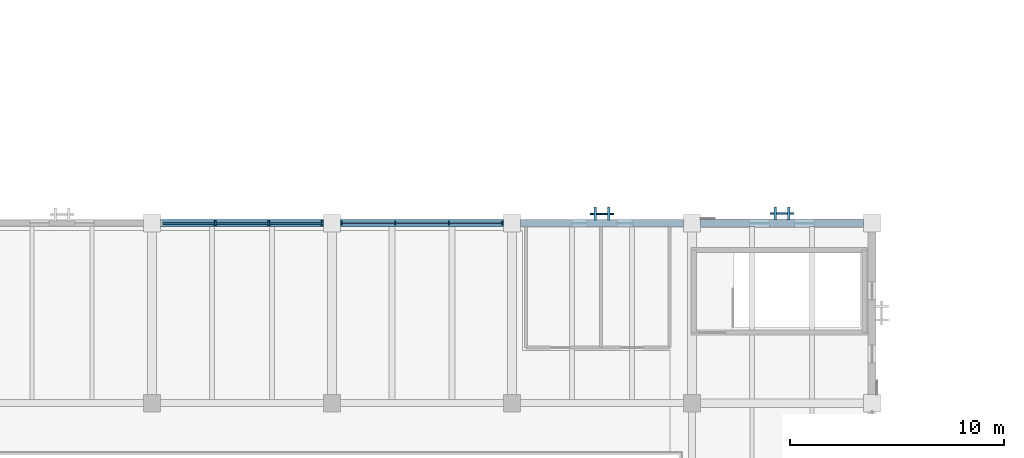
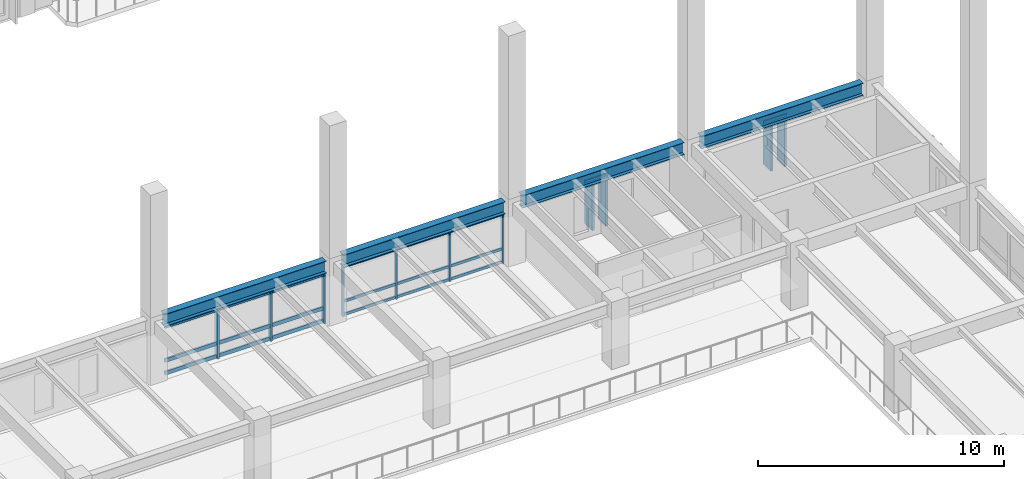
# One storey, part 11 of 64: 31 members, 4 beams, 4 elements without a shape of their own.
"""IFC4 building model written with IfcOpenShell, lengths in metres."""

from ifc_helpers import new_model, si_unit, direction, frame, origin, origin_2d, place, context, subcontext, project, spatial, rectangle, i_section, extrude, material, material_profile, profile_set, type_object, element, aggregate, save


model = new_model("IFC4")

# Units and contexts
model_context = context("Model", 3, precision=1e-05, world=origin(), true_north=direction((0.0, 1.0)))
body_context = subcontext(model_context, "Body", "Model", "MODEL_VIEW")
ifc_project = project(units=[si_unit("LENGTHUNIT", "METRE"), si_unit("AREAUNIT", "SQUARE_METRE"), si_unit("VOLUMEUNIT", "CUBIC_METRE"), si_unit("PLANEANGLEUNIT", "RADIAN"), si_unit("MASSUNIT", "GRAM", prefix="KILO")], contexts=[model_context])

# Site, building, storey
site_placement = place(None, origin())
site = spatial("IfcSite", under=ifc_project, at=site_placement, CompositionType="ELEMENT")
building_placement = place(site_placement, origin())
building = spatial("IfcBuilding", under=site, at=building_placement, Name="Cumbredor Promenade Congress Hotel", CompositionType="ELEMENT")
storey_placement = place(building_placement, frame((0.0, 0.0, 18.47998046875)))
storey = spatial("IfcBuildingStorey", under=building, at=storey_placement, Name="L05", CompositionType="ELEMENT", Elevation=18.47998046875)

# Beams
ifc_material_1 = material(Name="Steel ASTM A992 Grade 50", Category="steel")
ifc_material_profile_1 = material_profile(ifc_material_1, i_section(OverallWidth=0.323974609375, OverallDepth=0.611083984375, WebThickness=0.0126953125, FlangeThickness=0.01904296875, at=origin_2d()), Name="W24X104")
ifc_profile_set_1 = profile_set([ifc_material_profile_1], Name="Steel ASTM A992 Grade 50")
beam_type = type_object("IfcBeamType", Name="BM-W24X104", PredefinedType="BEAM", material=ifc_profile_set_1)
for number, where, z_axis, x_axis, name in (
    (1, (34.0, 67.199951171875, 2.814453125), (1.0, 0.0, 0.0), (0.0, 1.0, 0.0), "L06 X-Grid Beam 061"),
    (2, (42.39990234375, 67.199951171875, 2.814453125), (1.0, 0.0, 0.0), (0.0, 1.0, 0.0), "L06 X-Grid Beam 072"),
):
    element("IfcBeam", number, at=place(storey_placement, frame(where, z_axis=z_axis, x_axis=x_axis)), inside=storey, type_object=beam_type, Name=name, PredefinedType="BEAM", context=body_context, shape_type="SweptSolid", body=[
        extrude(i_section(OverallWidth=0.323974609375, OverallDepth=0.611083984375, WebThickness=0.0126953125, FlangeThickness=0.01904296875, at=origin_2d()), origin(), (0.0, 0.0, 1.0), 7.60009765625),
    ])
beam_1_placement = place(storey_placement, frame((50.800048828125, 67.199951171875, 2.814453125), z_axis=(1.0, 0.0, 0.0), x_axis=(0.0, 1.0, 0.0)))
element("IfcBeam", 3, at=beam_1_placement, inside=storey, type_object=beam_type, Name="L06 X-Grid Beam 083", PredefinedType="BEAM", context=body_context, shape_type="SweptSolid", body=[
    extrude(i_section(OverallWidth=0.323974609375, OverallDepth=0.611083984375, WebThickness=0.0126953125, FlangeThickness=0.01904296875, at=origin_2d()), origin(), (0.0, 0.0, 1.0), 7.599853515625),
])
beam_2_placement = place(storey_placement, frame((59.199951171875, 67.199951171875, 2.814453125), z_axis=(1.0, 0.0, 0.0), x_axis=(0.0, 1.0, 0.0)))
element("IfcBeam", 4, at=beam_2_placement, inside=storey, type_object=beam_type, Name="L06 X-Grid Beam 105", PredefinedType="BEAM", context=body_context, shape_type="SweptSolid", body=[
    extrude(i_section(OverallWidth=0.323974609375, OverallDepth=0.611083984375, WebThickness=0.0126953125, FlangeThickness=0.01904296875, at=origin_2d()), origin(), (0.0, 0.0, 1.0), 7.60009765625),
])

# Curtain wall, members
ifc_material_2 = material(Name="Thermally broken anodized aluminium and low-E glass", Category="aluminium")
curtain_wall_type_1 = type_object("IfcCurtainWallType", Name="Unitised Bronze Curtain Wall CW-01", PredefinedType="NOTDEFINED", material=ifc_material_2)
curtain_wall_1_placement = place(storey_placement, origin())
curtain_wall_1 = element("IfcCurtainWall", 5, at=curtain_wall_1_placement, inside=storey, type_object=curtain_wall_type_1, Name="L05 Plenary Congress Hall North Curtain Wall 5", PredefinedType="NOTDEFINED")
ifc_material_3 = material(Name="Thermally broken anodized aluminium", Category="aluminium")
ifc_material_profile_2 = material_profile(ifc_material_3, rectangle(XDim=0.06494140625, YDim=0.159912109375, at=origin_2d()), Name="ALU MULLION 65x160")
ifc_profile_set_2 = profile_set([ifc_material_profile_2], Name="Thermally broken anodized aluminium")
member_type_1 = type_object("IfcMemberType", Name="Curtain Wall Mullion ML-01", PredefinedType="MULLION", material=ifc_profile_set_2)
member_1_placement = place(storey_placement, frame((42.455078125, 67.199951171875, -0.008056640625), z_axis=(0.0, 0.0, 1.0), x_axis=(1.0, 0.0, 0.0)))
member_1 = element("IfcMember", 6, at=member_1_placement, type_object=member_type_1, Name="L05 Plenary Congress Hall North Curtain Wall 5 Mullion 1", PredefinedType="MULLION", context=body_context, shape_type="SweptSolid", body=[
    extrude(rectangle(XDim=0.06494140625, YDim=0.159912109375, at=origin_2d()), origin(), (0.0, 0.0, 1.0), 2.510009765625),
])
member_2_placement = place(storey_placement, frame((44.95166015625, 67.199951171875, -0.008056640625), z_axis=(0.0, 0.0, 1.0), x_axis=(1.0, 0.0, 0.0)))
member_2 = element("IfcMember", 7, at=member_2_placement, type_object=member_type_1, Name="L05 Plenary Congress Hall North Curtain Wall 5 Mullion 2", PredefinedType="MULLION", context=body_context, shape_type="SweptSolid", body=[
    extrude(rectangle(XDim=0.06494140625, YDim=0.159912109375, at=origin_2d()), origin(), (0.0, 0.0, 1.0), 2.510009765625),
])
member_3_placement = place(storey_placement, frame((47.4482421875, 67.199951171875, -0.008056640625), z_axis=(0.0, 0.0, 1.0), x_axis=(1.0, 0.0, 0.0)))
member_3 = element("IfcMember", 8, at=member_3_placement, type_object=member_type_1, Name="L05 Plenary Congress Hall North Curtain Wall 5 Mullion 3", PredefinedType="MULLION", context=body_context, shape_type="SweptSolid", body=[
    extrude(rectangle(XDim=0.06494140625, YDim=0.159912109375, at=origin_2d()), origin(), (0.0, 0.0, 1.0), 2.510009765625),
])
member_4_placement = place(storey_placement, frame((49.945068359375, 67.199951171875, -0.008056640625), z_axis=(0.0, 0.0, 1.0), x_axis=(1.0, 0.0, 0.0)))
member_4 = element("IfcMember", 9, at=member_4_placement, type_object=member_type_1, Name="L05 Plenary Congress Hall North Curtain Wall 5 Mullion 4", PredefinedType="MULLION", context=body_context, shape_type="SweptSolid", body=[
    extrude(rectangle(XDim=0.06494140625, YDim=0.159912109375, at=origin_2d()), origin(), (0.0, 0.0, 1.0), 2.510009765625),
])

curtain_wall_2_placement = place(storey_placement, origin())
curtain_wall_2 = element("IfcCurtainWall", 10, at=curtain_wall_2_placement, inside=storey, type_object=curtain_wall_type_1, Name="L05 Plenary Congress Hall North Curtain Wall 4", PredefinedType="NOTDEFINED")
ifc_material_profile_3 = material_profile(ifc_material_3, rectangle(XDim=0.080078125, YDim=0.239990234375, at=origin_2d()), Name="ALU MULLION 80x240")
ifc_profile_set_3 = profile_set([ifc_material_profile_3], Name="Thermally broken anodized aluminium")
member_type_2 = type_object("IfcMemberType", Name="Curtain Wall Mullion ML-03", PredefinedType="MULLION", material=ifc_profile_set_3)
member_5_placement = place(storey_placement, frame((36.5517578125, 67.199951171875, -0.008056640625), z_axis=(0.0, 0.0, 1.0), x_axis=(1.0, 0.0, 0.0)))
member_5 = element("IfcMember", 11, at=member_5_placement, type_object=member_type_2, Name="L05 Plenary Congress Hall North Curtain Wall 4 Mullion 2", PredefinedType="MULLION", context=body_context, shape_type="SweptSolid", body=[
    extrude(rectangle(XDim=0.080078125, YDim=0.239990234375, at=origin_2d()), origin(), (0.0, 0.0, 1.0), 2.510009765625),
])
member_6_placement = place(storey_placement, frame((39.04833984375, 67.199951171875, -0.008056640625), z_axis=(0.0, 0.0, 1.0), x_axis=(1.0, 0.0, 0.0)))
member_6 = element("IfcMember", 12, at=member_6_placement, type_object=member_type_2, Name="L05 Plenary Congress Hall North Curtain Wall 4 Mullion 3", PredefinedType="MULLION", context=body_context, shape_type="SweptSolid", body=[
    extrude(rectangle(XDim=0.080078125, YDim=0.239990234375, at=origin_2d()), origin(), (0.0, 0.0, 1.0), 2.510009765625),
])
member_7_placement = place(storey_placement, frame((41.544921875, 67.199951171875, -0.008056640625), z_axis=(0.0, 0.0, 1.0), x_axis=(1.0, 0.0, 0.0)))
member_7 = element("IfcMember", 13, at=member_7_placement, type_object=member_type_2, Name="L05 Plenary Congress Hall North Curtain Wall 4 Mullion 4", PredefinedType="MULLION", context=body_context, shape_type="SweptSolid", body=[
    extrude(rectangle(XDim=0.080078125, YDim=0.239990234375, at=origin_2d()), origin(), (0.0, 0.0, 1.0), 2.510009765625),
])

# Member
ifc_material_profile_4 = material_profile(ifc_material_3, rectangle(XDim=0.06494140625, YDim=0.1298828125, at=origin_2d()), Name="ALU TRANSOM 65x130")
ifc_profile_set_4 = profile_set([ifc_material_profile_4], Name="Thermally broken anodized aluminium")
member_type_3 = type_object("IfcMemberType", Name="Curtain Wall Transom TR-01", PredefinedType="USERDEFINED", material=ifc_profile_set_4)
member_8_placement = place(storey_placement, frame((42.487548828125, 67.199951171875, 0.070068359375), z_axis=(1.0, 0.0, 0.0), x_axis=(0.0, 1.0, 0.0)))
member_8 = element("IfcMember", 14, at=member_8_placement, type_object=member_type_3, Name="L05 Plenary Congress Hall North Curtain Wall 5 Transom 1.1", ObjectType="TRANSOM", PredefinedType="USERDEFINED", context=body_context, shape_type="SweptSolid", body=[
    extrude(rectangle(XDim=0.06494140625, YDim=0.1298828125, at=origin_2d()), origin(), (0.0, 0.0, 1.0), 2.431640625),
])

member_9_placement = place(storey_placement, frame((42.487548828125, 67.199951171875, 0.719970703125), z_axis=(1.0, 0.0, 0.0), x_axis=(0.0, 1.0, 0.0)))
member_9 = element("IfcMember", 15, at=member_9_placement, type_object=member_type_3, Name="L05 Plenary Congress Hall North Curtain Wall 5 Transom 1.2", ObjectType="TRANSOM", PredefinedType="USERDEFINED", context=body_context, shape_type="SweptSolid", body=[
    extrude(rectangle(XDim=0.06494140625, YDim=0.1298828125, at=origin_2d()), origin(), (0.0, 0.0, 1.0), 2.431640625),
])

member_10_placement = place(storey_placement, frame((42.487548828125, 67.199951171875, 2.429931640625), z_axis=(1.0, 0.0, 0.0), x_axis=(0.0, 1.0, 0.0)))
member_10 = element("IfcMember", 16, at=member_10_placement, type_object=member_type_3, Name="L05 Plenary Congress Hall North Curtain Wall 5 Transom 1.3", ObjectType="TRANSOM", PredefinedType="USERDEFINED", context=body_context, shape_type="SweptSolid", body=[
    extrude(rectangle(XDim=0.06494140625, YDim=0.1298828125, at=origin_2d()), origin(), (0.0, 0.0, 1.0), 2.431640625),
])

member_11_placement = place(storey_placement, frame((44.984130859375, 67.199951171875, 0.070068359375), z_axis=(1.0, 0.0, 0.0), x_axis=(0.0, 1.0, 0.0)))
member_11 = element("IfcMember", 17, at=member_11_placement, type_object=member_type_3, Name="L05 Plenary Congress Hall North Curtain Wall 5 Transom 2.1", ObjectType="TRANSOM", PredefinedType="USERDEFINED", context=body_context, shape_type="SweptSolid", body=[
    extrude(rectangle(XDim=0.06494140625, YDim=0.1298828125, at=origin_2d()), origin(), (0.0, 0.0, 1.0), 2.431640625),
])

member_12_placement = place(storey_placement, frame((44.984130859375, 67.199951171875, 0.719970703125), z_axis=(1.0, 0.0, 0.0), x_axis=(0.0, 1.0, 0.0)))
member_12 = element("IfcMember", 18, at=member_12_placement, type_object=member_type_3, Name="L05 Plenary Congress Hall North Curtain Wall 5 Transom 2.2", ObjectType="TRANSOM", PredefinedType="USERDEFINED", context=body_context, shape_type="SweptSolid", body=[
    extrude(rectangle(XDim=0.06494140625, YDim=0.1298828125, at=origin_2d()), origin(), (0.0, 0.0, 1.0), 2.431640625),
])

member_13_placement = place(storey_placement, frame((44.984130859375, 67.199951171875, 2.429931640625), z_axis=(1.0, 0.0, 0.0), x_axis=(0.0, 1.0, 0.0)))
member_13 = element("IfcMember", 19, at=member_13_placement, type_object=member_type_3, Name="L05 Plenary Congress Hall North Curtain Wall 5 Transom 2.3", ObjectType="TRANSOM", PredefinedType="USERDEFINED", context=body_context, shape_type="SweptSolid", body=[
    extrude(rectangle(XDim=0.06494140625, YDim=0.1298828125, at=origin_2d()), origin(), (0.0, 0.0, 1.0), 2.431640625),
])

member_14_placement = place(storey_placement, frame((47.480712890625, 67.199951171875, 0.070068359375), z_axis=(1.0, 0.0, 0.0), x_axis=(0.0, 1.0, 0.0)))
member_14 = element("IfcMember", 20, at=member_14_placement, type_object=member_type_3, Name="L05 Plenary Congress Hall North Curtain Wall 5 Transom 3.1", ObjectType="TRANSOM", PredefinedType="USERDEFINED", context=body_context, shape_type="SweptSolid", body=[
    extrude(rectangle(XDim=0.06494140625, YDim=0.1298828125, at=origin_2d()), origin(), (0.0, 0.0, 1.0), 2.431884765625),
])

member_15_placement = place(storey_placement, frame((47.480712890625, 67.199951171875, 0.719970703125), z_axis=(1.0, 0.0, 0.0), x_axis=(0.0, 1.0, 0.0)))
member_15 = element("IfcMember", 21, at=member_15_placement, type_object=member_type_3, Name="L05 Plenary Congress Hall North Curtain Wall 5 Transom 3.2", ObjectType="TRANSOM", PredefinedType="USERDEFINED", context=body_context, shape_type="SweptSolid", body=[
    extrude(rectangle(XDim=0.06494140625, YDim=0.1298828125, at=origin_2d()), origin(), (0.0, 0.0, 1.0), 2.431884765625),
])

member_16_placement = place(storey_placement, frame((47.480712890625, 67.199951171875, 2.429931640625), z_axis=(1.0, 0.0, 0.0), x_axis=(0.0, 1.0, 0.0)))
member_16 = element("IfcMember", 22, at=member_16_placement, type_object=member_type_3, Name="L05 Plenary Congress Hall North Curtain Wall 5 Transom 3.3", ObjectType="TRANSOM", PredefinedType="USERDEFINED", context=body_context, shape_type="SweptSolid", body=[
    extrude(rectangle(XDim=0.06494140625, YDim=0.1298828125, at=origin_2d()), origin(), (0.0, 0.0, 1.0), 2.431884765625),
])

aggregate(curtain_wall_1, [member_1, member_2, member_3, member_4, member_8, member_9, member_10, member_11, member_12, member_13, member_14, member_15, member_16])

# Curtain wall, member
curtain_wall_type_2 = type_object("IfcCurtainWallType", Name="Solar Brise-Soleil Screen Assembly CW-07", PredefinedType="NOTDEFINED", material=ifc_material_2)
curtain_wall_3_placement = place(storey_placement, origin())
curtain_wall_3 = element("IfcCurtainWall", 23, at=curtain_wall_3_placement, inside=storey, type_object=curtain_wall_type_2, Name="L05 Pier Brise-Soleil Screen 0829", PredefinedType="NOTDEFINED")
member_17_placement = place(storey_placement, frame((54.050048828125, 67.635009765625, 2.333984375), z_axis=(1.0, 0.0, 0.0), x_axis=(0.0, 1.0, 0.0)))
member_17 = element("IfcMember", 24, at=member_17_placement, type_object=member_type_3, Name="L05 Pier Brise-Soleil Header 0831", ObjectType="TRANSOM", PredefinedType="USERDEFINED", context=body_context, shape_type="SweptSolid", body=[
    extrude(rectangle(XDim=0.06494140625, YDim=0.1298828125, at=origin_2d()), origin(), (0.0, 0.0, 1.0), 1.099853515625),
])

curtain_wall_4_placement = place(storey_placement, origin())
curtain_wall_4 = element("IfcCurtainWall", 25, at=curtain_wall_4_placement, inside=storey, type_object=curtain_wall_type_2, Name="L05 Pier Brise-Soleil Screen 0832", PredefinedType="NOTDEFINED")
member_18_placement = place(storey_placement, frame((62.449951171875, 67.64990234375, 2.333984375), z_axis=(1.0, 0.0, 0.0), x_axis=(0.0, 1.0, 0.0)))
member_18 = element("IfcMember", 26, at=member_18_placement, type_object=member_type_3, Name="L05 Pier Brise-Soleil Header 0834", ObjectType="TRANSOM", PredefinedType="USERDEFINED", context=body_context, shape_type="SweptSolid", body=[
    extrude(rectangle(XDim=0.06494140625, YDim=0.1298828125, at=origin_2d()), origin(), (0.0, 0.0, 1.0), 1.10009765625),
])

# Member
ifc_material_profile_5 = material_profile(ifc_material_3, rectangle(XDim=0.080078125, YDim=0.179931640625, at=origin_2d()), Name="ALU TRANSOM 80x180")
ifc_profile_set_5 = profile_set([ifc_material_profile_5], Name="Thermally broken anodized aluminium")
member_type_4 = type_object("IfcMemberType", Name="Curtain Wall Transom TR-03", PredefinedType="USERDEFINED", material=ifc_profile_set_5)
member_19_placement = place(storey_placement, frame((34.094970703125, 67.199951171875, 0.090087890625), z_axis=(1.0, 0.0, 0.0), x_axis=(0.0, 1.0, 0.0)))
member_19 = element("IfcMember", 27, at=member_19_placement, type_object=member_type_4, Name="L05 Plenary Congress Hall North Curtain Wall 4 Transom 1.1", ObjectType="TRANSOM", PredefinedType="USERDEFINED", context=body_context, shape_type="SweptSolid", body=[
    extrude(rectangle(XDim=0.080078125, YDim=0.179931640625, at=origin_2d()), origin(), (0.0, 0.0, 1.0), 2.416748046875),
])

member_20_placement = place(storey_placement, frame((34.094970703125, 67.199951171875, 0.719970703125), z_axis=(1.0, 0.0, 0.0), x_axis=(0.0, 1.0, 0.0)))
member_20 = element("IfcMember", 28, at=member_20_placement, type_object=member_type_4, Name="L05 Plenary Congress Hall North Curtain Wall 4 Transom 1.2", ObjectType="TRANSOM", PredefinedType="USERDEFINED", context=body_context, shape_type="SweptSolid", body=[
    extrude(rectangle(XDim=0.080078125, YDim=0.179931640625, at=origin_2d()), origin(), (0.0, 0.0, 1.0), 2.416748046875),
])

member_21_placement = place(storey_placement, frame((34.094970703125, 67.199951171875, 2.39990234375), z_axis=(1.0, 0.0, 0.0), x_axis=(0.0, 1.0, 0.0)))
member_21 = element("IfcMember", 29, at=member_21_placement, type_object=member_type_4, Name="L05 Plenary Congress Hall North Curtain Wall 4 Transom 1.3", ObjectType="TRANSOM", PredefinedType="USERDEFINED", context=body_context, shape_type="SweptSolid", body=[
    extrude(rectangle(XDim=0.080078125, YDim=0.179931640625, at=origin_2d()), origin(), (0.0, 0.0, 1.0), 2.416748046875),
])

member_22_placement = place(storey_placement, frame((36.591796875, 67.199951171875, 0.090087890625), z_axis=(1.0, 0.0, 0.0), x_axis=(0.0, 1.0, 0.0)))
member_22 = element("IfcMember", 30, at=member_22_placement, type_object=member_type_4, Name="L05 Plenary Congress Hall North Curtain Wall 4 Transom 2.1", ObjectType="TRANSOM", PredefinedType="USERDEFINED", context=body_context, shape_type="SweptSolid", body=[
    extrude(rectangle(XDim=0.080078125, YDim=0.179931640625, at=origin_2d()), origin(), (0.0, 0.0, 1.0), 2.41650390625),
])

member_23_placement = place(storey_placement, frame((36.591796875, 67.199951171875, 0.719970703125), z_axis=(1.0, 0.0, 0.0), x_axis=(0.0, 1.0, 0.0)))
member_23 = element("IfcMember", 31, at=member_23_placement, type_object=member_type_4, Name="L05 Plenary Congress Hall North Curtain Wall 4 Transom 2.2", ObjectType="TRANSOM", PredefinedType="USERDEFINED", context=body_context, shape_type="SweptSolid", body=[
    extrude(rectangle(XDim=0.080078125, YDim=0.179931640625, at=origin_2d()), origin(), (0.0, 0.0, 1.0), 2.41650390625),
])

member_24_placement = place(storey_placement, frame((36.591796875, 67.199951171875, 2.39990234375), z_axis=(1.0, 0.0, 0.0), x_axis=(0.0, 1.0, 0.0)))
member_24 = element("IfcMember", 32, at=member_24_placement, type_object=member_type_4, Name="L05 Plenary Congress Hall North Curtain Wall 4 Transom 2.3", ObjectType="TRANSOM", PredefinedType="USERDEFINED", context=body_context, shape_type="SweptSolid", body=[
    extrude(rectangle(XDim=0.080078125, YDim=0.179931640625, at=origin_2d()), origin(), (0.0, 0.0, 1.0), 2.41650390625),
])

member_25_placement = place(storey_placement, frame((39.08837890625, 67.199951171875, 0.090087890625), z_axis=(1.0, 0.0, 0.0), x_axis=(0.0, 1.0, 0.0)))
member_25 = element("IfcMember", 33, at=member_25_placement, type_object=member_type_4, Name="L05 Plenary Congress Hall North Curtain Wall 4 Transom 3.1", ObjectType="TRANSOM", PredefinedType="USERDEFINED", context=body_context, shape_type="SweptSolid", body=[
    extrude(rectangle(XDim=0.080078125, YDim=0.179931640625, at=origin_2d()), origin(), (0.0, 0.0, 1.0), 2.41650390625),
])

member_26_placement = place(storey_placement, frame((39.08837890625, 67.199951171875, 0.719970703125), z_axis=(1.0, 0.0, 0.0), x_axis=(0.0, 1.0, 0.0)))
member_26 = element("IfcMember", 34, at=member_26_placement, type_object=member_type_4, Name="L05 Plenary Congress Hall North Curtain Wall 4 Transom 3.2", ObjectType="TRANSOM", PredefinedType="USERDEFINED", context=body_context, shape_type="SweptSolid", body=[
    extrude(rectangle(XDim=0.080078125, YDim=0.179931640625, at=origin_2d()), origin(), (0.0, 0.0, 1.0), 2.41650390625),
])

member_27_placement = place(storey_placement, frame((39.08837890625, 67.199951171875, 2.39990234375), z_axis=(1.0, 0.0, 0.0), x_axis=(0.0, 1.0, 0.0)))
member_27 = element("IfcMember", 35, at=member_27_placement, type_object=member_type_4, Name="L05 Plenary Congress Hall North Curtain Wall 4 Transom 3.3", ObjectType="TRANSOM", PredefinedType="USERDEFINED", context=body_context, shape_type="SweptSolid", body=[
    extrude(rectangle(XDim=0.080078125, YDim=0.179931640625, at=origin_2d()), origin(), (0.0, 0.0, 1.0), 2.41650390625),
])

aggregate(curtain_wall_2, [member_5, member_6, member_7, member_19, member_20, member_21, member_22, member_23, member_24, member_25, member_26, member_27])

ifc_material_profile_6 = material_profile(ifc_material_3, rectangle(XDim=0.110107421875, YDim=0.6201171875, at=origin_2d()), Name="ARCH FIN 110x620")
ifc_profile_set_6 = profile_set([ifc_material_profile_6], Name="Thermally broken anodized aluminium")
member_type_5 = type_object("IfcMemberType", Name="Vertical Bronze Brise-Soleil Fin BSF-02 110x620", PredefinedType="USERDEFINED", material=ifc_profile_set_6)
member_28_placement = place(storey_placement, frame((54.280029296875, 67.635009765625, 0.02001953125), z_axis=(0.0, 0.0, 1.0), x_axis=(1.0, 0.0, 0.0)))
member_28 = element("IfcMember", 36, at=member_28_placement, type_object=member_type_5, Name="L05 Pier Brise-Soleil Fin 0830", ObjectType="SOLAR FIN", PredefinedType="USERDEFINED", context=body_context, shape_type="SweptSolid", body=[
    extrude(rectangle(XDim=0.110107421875, YDim=0.6201171875, at=origin_2d()), origin(), (0.0, 0.0, 1.0), 2.35400390625),
])

member_29_placement = place(storey_placement, frame((54.919921875, 67.635009765625, 0.02001953125), z_axis=(0.0, 0.0, 1.0), x_axis=(1.0, 0.0, 0.0)))
member_29 = element("IfcMember", 37, at=member_29_placement, type_object=member_type_5, Name="L05 Pier Brise-Soleil Fin 0831", ObjectType="SOLAR FIN", PredefinedType="USERDEFINED", context=body_context, shape_type="SweptSolid", body=[
    extrude(rectangle(XDim=0.110107421875, YDim=0.6201171875, at=origin_2d()), origin(), (0.0, 0.0, 1.0), 2.35400390625),
])

aggregate(curtain_wall_3, [member_28, member_29, member_17])

member_30_placement = place(storey_placement, frame((62.679931640625, 67.64990234375, 0.02001953125), z_axis=(0.0, 0.0, 1.0), x_axis=(1.0, 0.0, 0.0)))
member_30 = element("IfcMember", 38, at=member_30_placement, type_object=member_type_5, Name="L05 Pier Brise-Soleil Fin 0833", ObjectType="SOLAR FIN", PredefinedType="USERDEFINED", context=body_context, shape_type="SweptSolid", body=[
    extrude(rectangle(XDim=0.110107421875, YDim=0.6201171875, at=origin_2d()), origin(), (0.0, 0.0, 1.0), 2.35400390625),
])

member_31_placement = place(storey_placement, frame((63.320068359375, 67.64990234375, 0.02001953125), z_axis=(0.0, 0.0, 1.0), x_axis=(1.0, 0.0, 0.0)))
member_31 = element("IfcMember", 39, at=member_31_placement, type_object=member_type_5, Name="L05 Pier Brise-Soleil Fin 0834", ObjectType="SOLAR FIN", PredefinedType="USERDEFINED", context=body_context, shape_type="SweptSolid", body=[
    extrude(rectangle(XDim=0.110107421875, YDim=0.6201171875, at=origin_2d()), origin(), (0.0, 0.0, 1.0), 2.35400390625),
])

aggregate(curtain_wall_4, [member_30, member_31, member_18])

save(model, "model.ifc")
